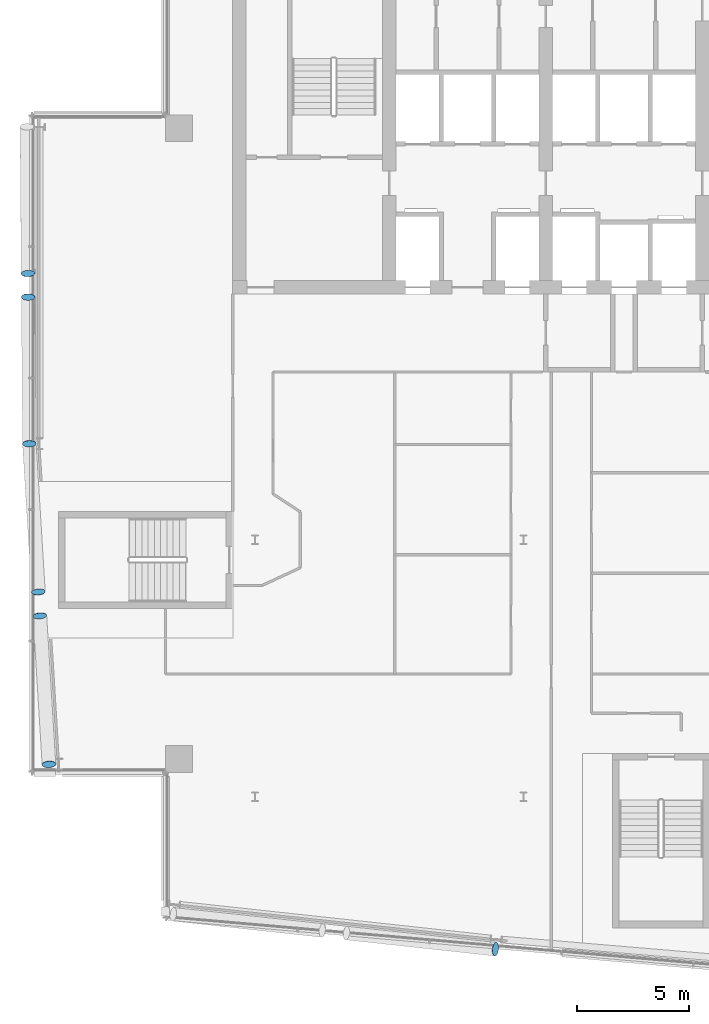
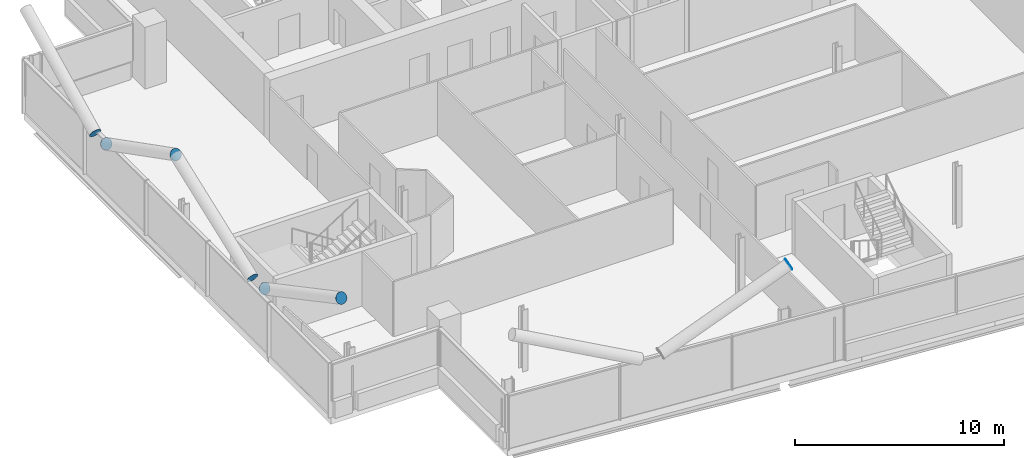
# One storey, part 21 of 27: 7 discrete accessories.
"""IFC4 building model written with IfcOpenShell, lengths in metres."""

from ifc_helpers import new_model, si_unit, direction, frame, origin, origin_2d, place, context, subcontext, project, spatial, circle, extrude, material, material_profile, profile_set, type_object, element, save


model = new_model("IFC4")

# Units and contexts
model_context = context("Model", 3, precision=1e-05, world=origin(), true_north=direction((0.0, 1.0)))
body_context = subcontext(model_context, "Body", "Model", "MODEL_VIEW")
ifc_project = project(units=[si_unit("LENGTHUNIT", "METRE"), si_unit("AREAUNIT", "SQUARE_METRE"), si_unit("VOLUMEUNIT", "CUBIC_METRE"), si_unit("PLANEANGLEUNIT", "RADIAN"), si_unit("MASSUNIT", "GRAM", prefix="KILO")], contexts=[model_context])

# Site, building, storey
site_placement = place(None, origin())
site = spatial("IfcSite", under=ifc_project, at=site_placement, CompositionType="ELEMENT")
building_placement = place(site_placement, origin())
building = spatial("IfcBuilding", under=site, at=building_placement, Name="Wharfspan Tower", CompositionType="ELEMENT")
storey_placement = place(building_placement, frame((0.0, 0.0, 228.699951)))
storey = spatial("IfcBuildingStorey", under=building, at=storey_placement, Name="L57", CompositionType="ELEMENT", Elevation=228.699951)

# Discrete accessories
ifc_material = material(Name="Steel S460NH", Category="steel")
ifc_material_profile = material_profile(ifc_material, circle(Radius=0.304932, at=origin_2d()))
ifc_profile_set = profile_set([ifc_material_profile], Name="Steel S460NH")
discrete_accessory_type = type_object("IfcDiscreteAccessoryType", Name="End plate CHS 610x25", PredefinedType="BRACKET", material=ifc_profile_set)
for number, where, z_axis, x_axis, name in (
    (1, (34.741699, 4.689941, 6.5), (0.895016, -0.096758, 0.435413), (0.107482, 0.994209, -1e-06), "End plate CHS 610x25"),
    (2, (13.853271, 33.85791, 3.165283), (0.0, -0.884385, 0.466759), (1.0, 0.0, 0.0), "End plate CHS 610x25"),
):
    element("IfcDiscreteAccessory", number, at=place(storey_placement, frame(where, z_axis=z_axis, x_axis=x_axis)), inside=storey, type_object=discrete_accessory_type, Name=name, PredefinedType="BRACKET", context=body_context, shape_type="SweptSolid", body=[
        extrude(circle(Radius=0.304932, at=origin_2d()), origin(), (0.0, 0.0, 1.0), 0.01001),
    ])
for number, where, z_axis, x_axis, name in (
    (3, (13.905029, 27.300049, 6.5), (0.0, -0.889567, 0.456805), (1.0, 0.0, 0.0), "End plate CHS 610x25"),
    (4, (13.844971, 34.901611, 3.165283), (-0.024035, 0.88931, 0.456673), (-0.999631, -0.027015, -3e-06), "End plate CHS 610x25"),
):
    element("IfcDiscreteAccessory", number, at=place(storey_placement, frame(where, z_axis=z_axis, x_axis=x_axis)), inside=storey, type_object=discrete_accessory_type, Name=name, PredefinedType="BRACKET", context=body_context, shape_type="SweptSolid", body=[
        extrude(circle(Radius=0.304932, at=origin_2d()), origin(), (0.0, 0.0, 1.0), 0.010254),
    ])
for number, where, z_axis, x_axis, name in (
    (5, (14.376221, 19.601807, 3.16626), (0.072718, -0.896854, 0.436308), (0.996729, 0.080815, -2e-06), "End plate CHS 610x25"),
    (6, (14.782715, 12.963379, 6.5), (0.049073, -0.883319, 0.466196), (0.998456, 0.05547, 1e-06), "End plate CHS 610x25"),
    (7, (14.311523, 20.661621, 3.16626), (-0.072718, 0.896854, 0.436308), (-0.996729, -0.080815, -2e-06), "End plate CHS 610x25"),
):
    element("IfcDiscreteAccessory", number, at=place(storey_placement, frame(where, z_axis=z_axis, x_axis=x_axis)), inside=storey, type_object=discrete_accessory_type, Name=name, PredefinedType="BRACKET", context=body_context, shape_type="SweptSolid", body=[
        extrude(circle(Radius=0.304932, at=origin_2d()), origin(), (0.0, 0.0, 1.0), 0.01001),
    ])

save(model, "model.ifc")
